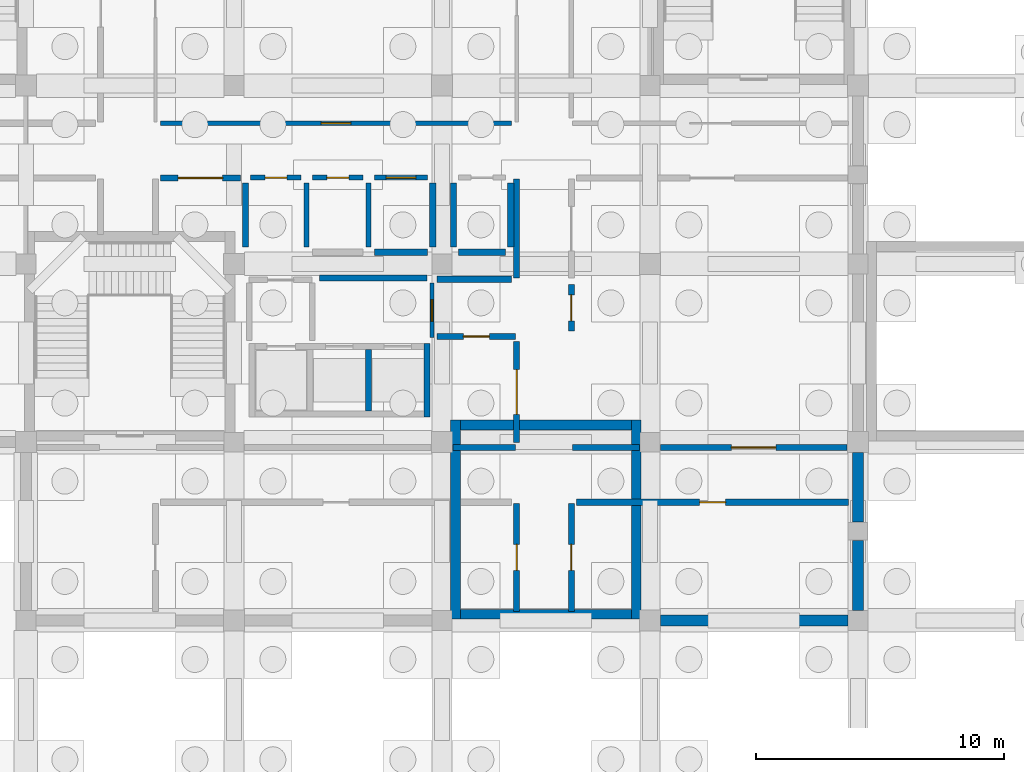
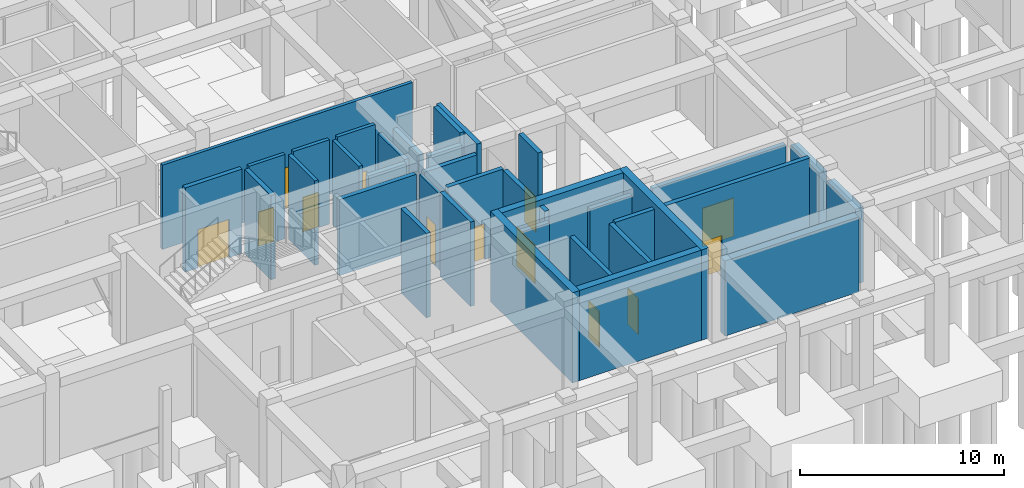
# One storey, part 16 of 32: 35 walls, 13 doors, 13 openings.
"""IFC4 building model written with IfcOpenShell, lengths in metres."""

import ifcopenshell
import ifcopenshell.guid

model = None  # the IFC model being written
_history = None  # IfcOwnerHistory: only IFC2X3 demands one
_inside = {}  # id of a spatial element -> (the spatial element, [elements in it])
_under = {}  # id of a project, library or spatial element -> (it, [spatial elements below it])
_declared = {}  # id of a project -> (the project, [libraries it declares])
_typed = {}  # id of a type object -> (the type object, [elements of that type])
_made_of = {}  # id of a material, layer set ... -> (it, [elements and type objects made of it])


def new_model(schema):
    """Start an empty IFC model of exactly this schema.

    Asked for "IFC4X3", IfcOpenShell would pick the latest addendum, in which some entities
    have other attributes; the version numbers below select the first issue.
    IFC2X3 requires an IfcOwnerHistory on every rooted entity: one is made here for all.
    """
    global model, _history
    if schema == "IFC4X3":
        model = ifcopenshell.file(schema_version=(4, 3, 0, 0))
    else:
        model = ifcopenshell.file(schema=schema)
    _inside.clear()
    _under.clear()
    _declared.clear()
    _typed.clear()
    _made_of.clear()
    _history = None
    if model.schema == "IFC2X3":
        org = make("IfcOrganization", Name="unknown")
        user = make(
            "IfcPersonAndOrganization",
            ThePerson=make("IfcPerson", FamilyName="unknown"),
            TheOrganization=org,
        )
        app = make(
            "IfcApplication",
            ApplicationDeveloper=org,
            Version="unknown",
            ApplicationFullName="unknown",
            ApplicationIdentifier="unknown",
        )
        _history = make(
            "IfcOwnerHistory",
            OwningUser=user,
            OwningApplication=app,
            ChangeAction="ADDED",
            CreationDate=0,
        )
    return model


def make(cls, **values):
    """One entity of the class cls with the attributes given. An attribute that is None is left unset."""
    return model.create_entity(
        cls, **{name: value for name, value in values.items() if value is not None}
    )


def rooted(cls, **values):
    """An entity with a GlobalId (a new one), such as an element, a storey or a relation."""
    return make(cls, GlobalId=ifcopenshell.guid.new(), OwnerHistory=_history, **values)


def si_unit(unit_type, name, prefix=None):
    """IfcSIUnit, for example si_unit("LENGTHUNIT", "METRE", prefix="MILLI")."""
    return make("IfcSIUnit", UnitType=unit_type, Prefix=prefix, Name=name)


def derived_unit(unit_type, elements):
    """IfcDerivedUnit: a product of units, each with its exponent."""
    return make(
        "IfcDerivedUnit",
        Elements=[
            make("IfcDerivedUnitElement", Unit=unit, Exponent=power)
            for unit, power in elements
        ],
        UnitType=unit_type,
    )


def assignment(units):
    """IfcUnitAssignment: the units of a project."""
    return None if units is None else make("IfcUnitAssignment", Units=units)


def point(xyz):
    """IfcCartesianPoint."""
    return None if xyz is None else make("IfcCartesianPoint", Coordinates=xyz)


def direction(xyz):
    """IfcDirection."""
    return None if xyz is None else make("IfcDirection", DirectionRatios=xyz)


def frame(location, z_axis=None, x_axis=None):
    """IfcAxis2Placement3D, a coordinate frame: its origin and axes. An axis left out is left unset."""
    return make(
        "IfcAxis2Placement3D",
        Location=point(location),
        Axis=direction(z_axis),
        RefDirection=direction(x_axis),
    )


def frame_2d(location, x_axis=None):
    """IfcAxis2Placement2D, a coordinate frame in the plane: its origin and x axis."""
    return make(
        "IfcAxis2Placement2D", Location=point(location), RefDirection=direction(x_axis)
    )


def origin():
    """The frame at (0, 0, 0) with its axes left unset."""
    return frame((0.0, 0.0, 0.0))


def place(relative_to, where):
    """IfcLocalPlacement: puts the frame where relative to a parent placement (None: the world)."""
    return make(
        "IfcLocalPlacement", PlacementRelTo=relative_to, RelativePlacement=where
    )


def context(
    kind, dimensions, precision=None, world=None, true_north=None, identifier=None
):
    """IfcGeometricRepresentationContext, for example the 3D "Model" context."""
    return make(
        "IfcGeometricRepresentationContext",
        ContextIdentifier=identifier,
        ContextType=kind,
        CoordinateSpaceDimension=dimensions,
        Precision=precision,
        WorldCoordinateSystem=world,
        TrueNorth=true_north,
    )


def subcontext(parent, identifier, kind, view, scale=None):
    """IfcGeometricRepresentationSubContext, for example "Body" below "Model"."""
    return make(
        "IfcGeometricRepresentationSubContext",
        ContextIdentifier=identifier,
        ContextType=kind,
        ParentContext=parent,
        TargetScale=scale,
        TargetView=view,
    )


def project(units=None, contexts=None):
    """IfcProject with its units and contexts."""
    return rooted(
        "IfcProject",
        Name="project",
        RepresentationContexts=contexts,
        UnitsInContext=assignment(units),
    )


def spatial(cls, under=None, at=None, **own):
    """A site, building, storey or space (cls), placed at a placement, below another one or the project."""
    s = rooted(cls, ObjectPlacement=at, **own)
    if under is not None:
        _under.setdefault(under.id(), (under, []))[1].append(s)
    return s


def profile(cls, at=None, kind="AREA", **sizes):
    """A parametric profile (cls). Its sizes go by their IFC names, for example OverallWidth=200.0."""
    return make(cls, ProfileType=kind, Position=at, **sizes)


def rectangle(**sizes):
    """IfcRectangleProfileDef."""
    return profile("IfcRectangleProfileDef", **sizes)


def extrude(swept, where, along, depth):
    """IfcExtrudedAreaSolid: the profile swept, set in the frame where, extruded along a direction by depth."""
    return make(
        "IfcExtrudedAreaSolid",
        SweptArea=swept,
        Position=where,
        ExtrudedDirection=direction(along),
        Depth=depth,
    )


def shape(context_of_items, identifier, shape_type, items):
    """IfcShapeRepresentation: the items that make up one representation, for example the "Body"."""
    return make(
        "IfcShapeRepresentation",
        ContextOfItems=context_of_items,
        RepresentationIdentifier=identifier,
        RepresentationType=shape_type,
        Items=items,
    )


def material(Name=None, Category=None):
    """IfcMaterial."""
    return make("IfcMaterial", Name=Name, Category=Category)


def layer(
    of_material, thickness, ventilated=None, Name=None, Category=None, Priority=None
):
    """IfcMaterialLayer: one layer of a wall or slab, of a material (None: an air gap)."""
    return make(
        "IfcMaterialLayer",
        Material=of_material,
        LayerThickness=thickness,
        IsVentilated=ventilated,
        Name=Name,
        Category=Category,
        Priority=Priority,
    )


def layer_set(layers, Name=None):
    """IfcMaterialLayerSet."""
    return make("IfcMaterialLayerSet", MaterialLayers=layers, LayerSetName=Name)


def made_of(thing, what):
    """Note that an element or type object is made of a material, layer set ...; save() writes the relation."""
    if what is not None:
        _made_of.setdefault(what.id(), (what, []))[1].append(thing)
    return thing


def type_object(cls, material=None, **own):
    """A type object (cls), such as IfcWallType, which elements share."""
    return made_of(rooted(cls, **own), material)


def element(
    cls,
    number,
    at=None,
    inside=None,
    cuts=None,
    type_object=None,
    material=None,
    context=None,
    identifier="Body",
    shape_type=None,
    held_by="IfcProductDefinitionShape",
    body=None,
    shapes=None,
    **own,
):
    """One element of the class cls, such as IfcWall. Its Tag is "e" and its number.

    at: its placement. inside: the storey or other place that contains it. cuts: it is an
    opening in that element (IfcRelVoidsElement). A single representation is given by context,
    identifier, shape_type and body (its items); several are given by shapes. held_by: the class
    of the entity that holds the representations. save() writes the other relations.
    """
    e = rooted(cls, Tag="e%d" % number, ObjectPlacement=at, **own)
    if body is not None:
        shapes = [shape(context, identifier, shape_type, body)]
    if shapes is not None:
        e.Representation = make(held_by, Representations=shapes)
    if inside is not None:
        _inside.setdefault(inside.id(), (inside, []))[1].append(e)
    if cuts is not None:
        rooted(
            "IfcRelVoidsElement", RelatingBuildingElement=cuts, RelatedOpeningElement=e
        )
    if type_object is not None:
        _typed.setdefault(type_object.id(), (type_object, []))[1].append(e)
    return made_of(e, material)


def fill(opening, filler):
    """IfcRelFillsElement: the door or window that sits in an opening."""
    return rooted(
        "IfcRelFillsElement",
        RelatingOpeningElement=opening,
        RelatedBuildingElement=filler,
    )


def aggregate(whole, parts):
    """IfcRelAggregates: a whole, such as a stair, and the parts it consists of."""
    return rooted("IfcRelAggregates", RelatingObject=whole, RelatedObjects=parts)


def save(model, path):
    """Write the relations noted so far, then the file.

    IfcRelAggregates (storeys below a building ...), IfcRelContainedInSpatialStructure (elements
    in a storey), IfcRelDefinesByType, IfcRelAssociatesMaterial and IfcRelDeclares: one each for
    every whole, place, type object, material and project.
    """
    for whole, parts in _under.values():
        aggregate(whole, parts)
    for where, things in _inside.values():
        rooted(
            "IfcRelContainedInSpatialStructure",
            RelatedElements=things,
            RelatingStructure=where,
        )
    for kind, things in _typed.values():
        rooted("IfcRelDefinesByType", RelatedObjects=things, RelatingType=kind)
    for what, things in _made_of.values():
        rooted("IfcRelAssociatesMaterial", RelatedObjects=things, RelatingMaterial=what)
    for by, libraries in _declared.values():
        rooted("IfcRelDeclares", RelatingContext=by, RelatedDefinitions=libraries)
    model.write(path)


model = new_model("IFC4")

# Units and contexts
model_context = context("Model", 3, precision=1e-05, world=origin(), true_north=direction((0.0, 1.0)))
body_context = subcontext(model_context, "Body", "Model", "MODEL_VIEW")
ifc_project = project(units=[si_unit("LENGTHUNIT", "METRE"), si_unit("AREAUNIT", "SQUARE_METRE"), si_unit("VOLUMEUNIT", "CUBIC_METRE"), si_unit("PLANEANGLEUNIT", "RADIAN"), si_unit("MASSUNIT", "GRAM", prefix="KILO"), derived_unit("THERMALTRANSMITTANCEUNIT", [(si_unit("POWERUNIT", "WATT"), 1), (si_unit("LENGTHUNIT", "METRE"), -2), (si_unit("THERMODYNAMICTEMPERATUREUNIT", "KELVIN"), -1)])], contexts=[model_context])

# Site, building, storey
site_placement = place(None, origin())
site = spatial("IfcSite", under=ifc_project, at=site_placement, CompositionType="ELEMENT")
building_placement = place(site_placement, origin())
building = spatial("IfcBuilding", under=site, at=building_placement, Name="Veybourne Emporium", CompositionType="ELEMENT")
storey_placement = place(building_placement, frame((0.0, 0.0, -5.39990234375)))
storey = spatial("IfcBuildingStorey", under=building, at=storey_placement, Name="B1", CompositionType="ELEMENT", Elevation=-5.39990234375)

# Walls
ifc_material_1 = material(Name="Concrete C40/50", Category="concrete")
ifc_layer_1 = layer(ifc_material_1, 0.449951171875)
ifc_layer_set_1 = layer_set([ifc_layer_1], Name="Concrete C40/50")
wall_type_1 = type_object("IfcWallType", Name="ExtWall_RW-01", PredefinedType="USERDEFINED", material=ifc_layer_set_1)
wall_1_placement = place(storey_placement, frame((50.0, 7.199951171875, 0.0), z_axis=(0.0, 0.0, 1.0), x_axis=(-1.0, 0.0, 0.0)))
element("IfcWall", 1, at=wall_1_placement, inside=storey, type_object=wall_type_1, Name="Basement perimeter retaining wall 025", ObjectType="RETAININGWALL", PredefinedType="USERDEFINED", context=body_context, shape_type="SweptSolid", body=[
    extrude(rectangle(XDim=7.574951171875, YDim=0.449951171875, at=frame_2d((3.78759765625, 0.0))), origin(), (0.0, 0.0, 1.0), 4.5),
])
wall_2_placement = place(storey_placement, frame((50.39990234375, 13.97509765625, 0.0), z_axis=(0.0, 0.0, 1.0), x_axis=(0.0, -1.0, 0.0)))
element("IfcWall", 2, at=wall_2_placement, inside=storey, type_object=wall_type_1, Name="Basement perimeter retaining wall 026A", ObjectType="RETAININGWALL", PredefinedType="USERDEFINED", context=body_context, shape_type="SweptSolid", body=[
    extrude(rectangle(XDim=2.80517578125, YDim=0.449951171875, at=frame_2d((1.402587890625, 0.0))), origin(), (0.0, 0.0, 1.0), 4.5),
])
wall_3_placement = place(storey_placement, frame((50.39990234375, 10.429931640625, 0.0), z_axis=(0.0, 0.0, 1.0), x_axis=(0.0, -1.0, 0.0)))
element("IfcWall", 3, at=wall_3_placement, inside=storey, type_object=wall_type_1, Name="Basement perimeter retaining wall 026B", ObjectType="RETAININGWALL", PredefinedType="USERDEFINED", context=body_context, shape_type="SweptSolid", body=[
    extrude(rectangle(XDim=2.829833984375, YDim=0.449951171875, at=frame_2d((1.4150390625, 0.0))), origin(), (0.0, 0.0, 1.0), 4.5),
])
ifc_layer_2 = layer(ifc_material_1, 0.39990234375)
ifc_layer_set_2 = layer_set([ifc_layer_2], Name="Concrete C40/50")
wall_type_2 = type_object("IfcWallType", Name="IntWall_CW-01", PredefinedType="SHEAR", material=ifc_layer_set_2)
for number, where, z_axis, x_axis, name in (
    (4, (41.25, 7.449951171875, 0.0), (0.0, 0.0, 1.0), (-1.0, 0.0, 0.0), "Core stair ST-12 south shear wall (B1)"),
    (5, (34.35009765625, 15.10009765625, 0.0), (0.0, 0.0, 1.0), (1.0, 0.0, 0.0), "Core stair ST-12 north shear wall (B1)"),
):
    element("IfcWall", number, at=place(storey_placement, frame(where, z_axis=z_axis, x_axis=x_axis)), inside=storey, type_object=wall_type_2, Name=name, PredefinedType="SHEAR", context=body_context, shape_type="SweptSolid", body=[
        extrude(rectangle(XDim=6.89990234375, YDim=0.39990234375, at=frame_2d((3.449951171875, 0.0))), origin(), (0.0, 0.0, 1.0), 5.39990234375),
    ])
for number, where, z_axis, x_axis, name in (
    (6, (34.14990234375, 15.300048828125, 0.0), (0.0, 0.0, 1.0), (0.0, -1.0, 0.0), "Core stair ST-12 west shear wall (B1)"),
    (7, (41.449951171875, 7.25, 0.0), (0.0, 0.0, 1.0), (0.0, 1.0, 0.0), "Core stair ST-12 east shear wall (B1)"),
):
    element("IfcWall", number, at=place(storey_placement, frame(where, z_axis=z_axis, x_axis=x_axis)), inside=storey, type_object=wall_type_2, Name=name, PredefinedType="SHEAR", context=body_context, shape_type="SweptSolid", body=[
        extrude(rectangle(XDim=8.050048828125, YDim=0.39990234375, at=frame_2d((4.02490234375, 0.0))), origin(), (0.0, 0.0, 1.0), 5.39990234375),
    ])
ifc_layer_3 = layer(ifc_material_1, 0.239990234375)
ifc_layer_set_3 = layer_set([ifc_layer_3], Name="Concrete C40/50")
wall_type_3 = type_object("IfcWallType", Name="IntWall_CW-04", PredefinedType="SHEAR", material=ifc_layer_set_3)
wall_4_placement = place(storey_placement, frame((33.0, 15.409912109375, 0.0), z_axis=(0.0, 0.0, 1.0), x_axis=(0.0, 1.0, 0.0)))
element("IfcWall", 8, at=wall_4_placement, inside=storey, type_object=wall_type_3, Name="Lift core C1 east shaft wall (B1)", PredefinedType="SHEAR", context=body_context, shape_type="SweptSolid", body=[
    extrude(rectangle(XDim=2.97998046875, YDim=0.239990234375, at=frame_2d((1.489990234375, 0.0))), origin(), (0.0, 0.0, 1.0), 5.0498046875),
])
wall_5_placement = place(storey_placement, frame((30.639892578125, 15.64990234375, 0.0), z_axis=(0.0, 0.0, 1.0), x_axis=(0.0, 1.0, 0.0)))
element("IfcWall", 9, at=wall_5_placement, inside=storey, type_object=wall_type_3, Name="Lift core C1 divider wall 2 (B1)", PredefinedType="SHEAR", context=body_context, shape_type="SweptSolid", body=[
    extrude(rectangle(XDim=2.5, YDim=0.239990234375, at=frame_2d((1.25, 0.0))), origin(), (0.0, 0.0, 1.0), 5.0498046875),
])
ifc_material_2 = material(Name="Concrete C32/40", Category="concrete")
ifc_layer_4 = layer(ifc_material_2, 0.25)
ifc_layer_set_4 = layer_set([ifc_layer_4], Name="Concrete C32/40")
wall_type_4 = type_object("IfcWallType", Name="IntWall_FW-01", PredefinedType="SOLIDWALL", material=ifc_layer_set_4)
wall_6_placement = place(storey_placement, frame((34.044921875, 14.179931640625, 0.0), z_axis=(0.0, 0.0, 1.0), x_axis=(1.0, 0.0, 0.0)))
element("IfcWall", 10, at=wall_6_placement, inside=storey, type_object=wall_type_4, Name="B1 interior partition FW-01 #020", PredefinedType="SOLIDWALL", context=body_context, shape_type="SweptSolid", body=[
    extrude(rectangle(XDim=2.525146484375, YDim=0.25, at=frame_2d((1.2626953125, 0.0))), origin(), (0.0, 0.0, 1.0), 4.5498046875),
])
wall_7_placement = place(storey_placement, frame((38.8798828125, 14.179931640625, 0.0), z_axis=(0.0, 0.0, 1.0), x_axis=(1.0, 0.0, 0.0)))
element("IfcWall", 11, at=wall_7_placement, inside=storey, type_object=wall_type_4, Name="B1 interior partition FW-01 #040", PredefinedType="SOLIDWALL", context=body_context, shape_type="SweptSolid", body=[
    extrude(rectangle(XDim=2.7001953125, YDim=0.25, at=frame_2d((1.35009765625, 0.0))), origin(), (0.0, 0.0, 1.0), 4.5498046875),
])

# Wall, opening, door
wall_8_placement = place(storey_placement, frame((42.419921875, 14.179931640625, 0.0), z_axis=(0.0, 0.0, 1.0), x_axis=(1.0, 0.0, 0.0)))
wall_8 = element("IfcWall", 12, at=wall_8_placement, inside=storey, type_object=wall_type_4, Name="B1 interior partition FW-01 #041", PredefinedType="SOLIDWALL", context=body_context, shape_type="SweptSolid", body=[
    extrude(rectangle(XDim=7.53515625, YDim=0.25, at=frame_2d((3.767578125, 0.0))), origin(), (0.0, 0.0, 1.0), 4.5498046875),
])
opening_1_placement = place(wall_8_placement, frame((2.867431640625, 0.0, 0.0)))
opening_1 = element("IfcOpeningElement", 13, at=opening_1_placement, cuts=wall_8, Name="Opening FD-03", PredefinedType="OPENING", context=body_context, shape_type="SweptSolid", body=[
    extrude(rectangle(XDim=1.800048828125, YDim=2.300048828125, at=frame_2d((0.89990234375, 1.14990234375))), frame((0.0, 0.14501953125, 0.0), z_axis=(0.0, -1.0, 0.0), x_axis=(1.0, 0.0, 0.0)), (0.0, 0.0, 1.0), 0.2900390625),
])
ifc_material_3 = material(Name="Patinated Architectural Bronze", Category="bronze")
door_type_1 = type_object("IfcDoorType", Name="FireDoor_FD-03", OperationType="DOUBLE_DOOR_SINGLE_SWING", PredefinedType="DOOR", material=ifc_material_3)
door_1_placement = place(opening_1_placement, origin())
door_1 = element("IfcDoor", 14, at=door_1_placement, inside=storey, type_object=door_type_1, Name="B1 interior door FD-03 (PART-B1-041)", OperationType="DOUBLE_DOOR_SINGLE_SWING", OverallHeight=2.300048828125, OverallWidth=1.800048828125, PredefinedType="DOOR", context=body_context, shape_type="SweptSolid", body=[
    extrude(rectangle(XDim=1.800048828125, YDim=2.300048828125, at=frame_2d((0.89990234375, 1.14990234375))), frame((0.0, 0.02490234375, 0.0), z_axis=(0.0, -1.0, 0.0), x_axis=(1.0, 0.0, 0.0)), (0.0, 0.0, 1.0), 0.050048828125),
])
fill(opening_1, door_1)

wall_9_placement = place(storey_placement, frame((39.0400390625, 11.969970703125, 0.0), z_axis=(0.0, 0.0, 1.0), x_axis=(1.0, 0.0, 0.0)))
wall_9 = element("IfcWall", 15, at=wall_9_placement, inside=storey, type_object=wall_type_4, Name="B1 interior partition FW-01 #043", PredefinedType="SOLIDWALL", context=body_context, shape_type="SweptSolid", body=[
    extrude(rectangle(XDim=10.989990234375, YDim=0.25, at=frame_2d((5.4951171875, 0.0))), origin(), (0.0, 0.0, 1.0), 5.0498046875),
])
opening_2_placement = place(wall_9_placement, frame((4.969970703125, 0.0, 0.0)))
opening_2 = element("IfcOpeningElement", 16, at=opening_2_placement, cuts=wall_9, Name="Opening FD-02", PredefinedType="OPENING", context=body_context, shape_type="SweptSolid", body=[
    extrude(rectangle(XDim=1.050048828125, YDim=2.14990234375, at=frame_2d((0.52490234375, 1.074951171875))), frame((0.0, 0.14501953125, 0.0), z_axis=(0.0, -1.0, 0.0), x_axis=(1.0, 0.0, 0.0)), (0.0, 0.0, 1.0), 0.2900390625),
])
door_type_2 = type_object("IfcDoorType", Name="FireDoor_FD-02", OperationType="NOTDEFINED", PredefinedType="DOOR", material=ifc_material_3)
door_2_placement = place(opening_2_placement, origin())
door_2 = element("IfcDoor", 17, at=door_2_placement, inside=storey, type_object=door_type_2, Name="B1 interior door FD-02 (PART-B1-043)", OperationType="SINGLE_SWING_LEFT", OverallHeight=2.14990234375, OverallWidth=1.050048828125, PredefinedType="DOOR", context=body_context, shape_type="SweptSolid", body=[
    extrude(rectangle(XDim=1.050048828125, YDim=2.14990234375, at=frame_2d((0.52490234375, 1.074951171875))), frame((0.0, 0.02490234375, 0.0), z_axis=(0.0, -1.0, 0.0), x_axis=(1.0, 0.0, 0.0)), (0.0, 0.0, 1.0), 0.050048828125),
])
fill(opening_2, door_2)

wall_10_placement = place(storey_placement, frame((36.6201171875, 7.570068359375, 0.0), z_axis=(0.0, 0.0, 1.0), x_axis=(0.0, 1.0, 0.0)))
wall_10 = element("IfcWall", 18, at=wall_10_placement, inside=storey, type_object=wall_type_4, Name="B1 interior partition FW-01 #075", PredefinedType="SOLIDWALL", context=body_context, shape_type="SweptSolid", body=[
    extrude(rectangle(XDim=4.349853515625, YDim=0.25, at=frame_2d((2.1748046875, 0.0))), origin(), (0.0, 0.0, 1.0), 5.0498046875),
])
opening_3_placement = place(wall_10_placement, frame((1.64990234375, 0.0, 0.0)))
opening_3 = element("IfcOpeningElement", 19, at=opening_3_placement, cuts=wall_10, Name="Opening FD-02", PredefinedType="OPENING", context=body_context, shape_type="SweptSolid", body=[
    extrude(rectangle(XDim=1.050048828125, YDim=2.14990234375, at=frame_2d((0.52490234375, 1.074951171875))), frame((0.0, 0.14501953125, 0.0), z_axis=(0.0, -1.0, 0.0), x_axis=(1.0, 0.0, 0.0)), (0.0, 0.0, 1.0), 0.2900390625),
])
door_3_placement = place(opening_3_placement, origin())
door_3 = element("IfcDoor", 20, at=door_3_placement, inside=storey, type_object=door_type_2, Name="B1 interior door FD-02 (PART-B1-075)", OperationType="SINGLE_SWING_RIGHT", OverallHeight=2.14990234375, OverallWidth=1.050048828125, PredefinedType="DOOR", context=body_context, shape_type="SweptSolid", body=[
    extrude(rectangle(XDim=1.050048828125, YDim=2.14990234375, at=frame_2d((0.52490234375, 1.074951171875))), frame((0.0, 0.02490234375, 0.0), z_axis=(0.0, -1.0, 0.0), x_axis=(1.0, 0.0, 0.0)), (0.0, 0.0, 1.0), 0.050048828125),
])
fill(opening_3, door_3)

wall_11_placement = place(storey_placement, frame((38.830078125, 7.570068359375, 0.0), z_axis=(0.0, 0.0, 1.0), x_axis=(0.0, 1.0, 0.0)))
wall_11 = element("IfcWall", 21, at=wall_11_placement, inside=storey, type_object=wall_type_4, Name="B1 interior partition FW-01 #076", PredefinedType="SOLIDWALL", context=body_context, shape_type="SweptSolid", body=[
    extrude(rectangle(XDim=4.349853515625, YDim=0.25, at=frame_2d((2.1748046875, 0.0))), origin(), (0.0, 0.0, 1.0), 5.0498046875),
])
opening_4_placement = place(wall_11_placement, frame((1.64990234375, 0.0, 0.0)))
opening_4 = element("IfcOpeningElement", 22, at=opening_4_placement, cuts=wall_11, Name="Opening FD-02", PredefinedType="OPENING", context=body_context, shape_type="SweptSolid", body=[
    extrude(rectangle(XDim=1.050048828125, YDim=2.14990234375, at=frame_2d((0.52490234375, 1.074951171875))), frame((0.0, 0.14501953125, 0.0), z_axis=(0.0, -1.0, 0.0), x_axis=(1.0, 0.0, 0.0)), (0.0, 0.0, 1.0), 0.2900390625),
])
door_4_placement = place(opening_4_placement, origin())
door_4 = element("IfcDoor", 23, at=door_4_placement, inside=storey, type_object=door_type_2, Name="B1 interior door FD-02 (PART-B1-076)", OperationType="SINGLE_SWING_LEFT", OverallHeight=2.14990234375, OverallWidth=1.050048828125, PredefinedType="DOOR", context=body_context, shape_type="SweptSolid", body=[
    extrude(rectangle(XDim=1.050048828125, YDim=2.14990234375, at=frame_2d((0.52490234375, 1.074951171875))), frame((0.0, 0.02490234375, 0.0), z_axis=(0.0, -1.0, 0.0), x_axis=(1.0, 0.0, 0.0)), (0.0, 0.0, 1.0), 0.050048828125),
])
fill(opening_4, door_4)

# Wall
wall_12_placement = place(storey_placement, frame((28.64990234375, 21.030029296875, 0.0), z_axis=(0.0, 0.0, 1.0), x_axis=(1.0, 0.0, 0.0)))
element("IfcWall", 24, at=wall_12_placement, inside=storey, type_object=wall_type_4, Name="B1 interior partition FW-01 #077", PredefinedType="SOLIDWALL", context=body_context, shape_type="SweptSolid", body=[
    extrude(rectangle(XDim=4.340087890625, YDim=0.25, at=frame_2d((2.169921875, 0.0))), origin(), (0.0, 0.0, 1.0), 4.5498046875),
])

# Wall, opening, door
wall_13_placement = place(storey_placement, frame((36.6201171875, 14.389892578125, 0.0), z_axis=(0.0, 0.0, 1.0), x_axis=(0.0, 1.0, 0.0)))
wall_13 = element("IfcWall", 25, at=wall_13_placement, inside=storey, type_object=wall_type_4, Name="B1 interior partition FW-01 #080", PredefinedType="SOLIDWALL", context=body_context, shape_type="SweptSolid", body=[
    extrude(rectangle(XDim=4.070068359375, YDim=0.25, at=frame_2d((2.03515625, 0.0))), origin(), (0.0, 0.0, 1.0), 5.0498046875),
])
opening_5_placement = place(wall_13_placement, frame((1.135009765625, 0.0, 0.0)))
opening_5 = element("IfcOpeningElement", 26, at=opening_5_placement, cuts=wall_13, Name="Opening FD-03", PredefinedType="OPENING", context=body_context, shape_type="SweptSolid", body=[
    extrude(rectangle(XDim=1.800048828125, YDim=2.300048828125, at=frame_2d((0.89990234375, 1.14990234375))), frame((0.0, 0.14501953125, 0.0), z_axis=(0.0, -1.0, 0.0), x_axis=(1.0, 0.0, 0.0)), (0.0, 0.0, 1.0), 0.2900390625),
])
door_5_placement = place(opening_5_placement, origin())
door_5 = element("IfcDoor", 27, at=door_5_placement, inside=storey, type_object=door_type_1, Name="B1 interior door FD-03 (PART-B1-080)", OperationType="DOUBLE_DOOR_SINGLE_SWING", OverallHeight=2.300048828125, OverallWidth=1.800048828125, PredefinedType="DOOR", context=body_context, shape_type="SweptSolid", body=[
    extrude(rectangle(XDim=1.800048828125, YDim=2.300048828125, at=frame_2d((0.89990234375, 1.14990234375))), frame((0.0, 0.02490234375, 0.0), z_axis=(0.0, -1.0, 0.0), x_axis=(1.0, 0.0, 0.0)), (0.0, 0.0, 1.0), 0.050048828125),
])
fill(opening_5, door_5)

# Wall
wall_14_placement = place(storey_placement, frame((36.6201171875, 21.030029296875, 0.0), z_axis=(0.0, 0.0, 1.0), x_axis=(0.0, 1.0, 0.0)))
element("IfcWall", 28, at=wall_14_placement, inside=storey, type_object=wall_type_4, Name="B1 interior partition FW-01 #081", PredefinedType="SOLIDWALL", context=body_context, shape_type="SweptSolid", body=[
    extrude(rectangle(XDim=3.989990234375, YDim=0.25, at=frame_2d((1.9951171875, 0.0))), origin(), (0.0, 0.0, 1.0), 5.0498046875),
])

# Wall, opening, door
wall_15_placement = place(storey_placement, frame((22.239990234375, 25.070068359375, 0.0), z_axis=(0.0, 0.0, 1.0), x_axis=(1.0, 0.0, 0.0)))
wall_15 = element("IfcWall", 29, at=wall_15_placement, inside=storey, type_object=wall_type_4, Name="B1 interior partition FW-01 #088", PredefinedType="SOLIDWALL", context=body_context, shape_type="SweptSolid", body=[
    extrude(rectangle(XDim=3.219970703125, YDim=0.25, at=frame_2d((1.60986328125, 0.0))), origin(), (0.0, 0.0, 1.0), 5.0498046875),
])
opening_6_placement = place(wall_15_placement, frame((0.7099609375, 0.0, 0.0)))
opening_6 = element("IfcOpeningElement", 30, at=opening_6_placement, cuts=wall_15, Name="Opening FD-03", PredefinedType="OPENING", context=body_context, shape_type="SweptSolid", body=[
    extrude(rectangle(XDim=1.800048828125, YDim=2.300048828125, at=frame_2d((0.89990234375, 1.14990234375))), frame((0.0, 0.14501953125, 0.0), z_axis=(0.0, -1.0, 0.0), x_axis=(1.0, 0.0, 0.0)), (0.0, 0.0, 1.0), 0.2900390625),
])
door_6_placement = place(opening_6_placement, origin())
door_6 = element("IfcDoor", 31, at=door_6_placement, inside=storey, type_object=door_type_1, Name="B1 interior door FD-03 (PART-B1-088)", OperationType="DOUBLE_DOOR_SINGLE_SWING", OverallHeight=2.300048828125, OverallWidth=1.800048828125, PredefinedType="DOOR", context=body_context, shape_type="SweptSolid", body=[
    extrude(rectangle(XDim=1.800048828125, YDim=2.300048828125, at=frame_2d((0.89990234375, 1.14990234375))), frame((0.0, 0.02490234375, 0.0), z_axis=(0.0, -1.0, 0.0), x_axis=(1.0, 0.0, 0.0)), (0.0, 0.0, 1.0), 0.050048828125),
])
fill(opening_6, door_6)

wall_16_placement = place(storey_placement, frame((33.409912109375, 18.669921875, 0.0), z_axis=(0.0, 0.0, 1.0), x_axis=(1.0, 0.0, 0.0)))
wall_16 = element("IfcWall", 32, at=wall_16_placement, inside=storey, type_object=wall_type_4, Name="B1 interior partition FW-01 #089", PredefinedType="SOLIDWALL", context=body_context, shape_type="SweptSolid", body=[
    extrude(rectangle(XDim=3.16015625, YDim=0.25, at=frame_2d((1.580078125, 0.0))), origin(), (0.0, 0.0, 1.0), 5.0498046875),
])
opening_7_placement = place(wall_16_placement, frame((1.054931640625, 0.0, 0.0)))
opening_7 = element("IfcOpeningElement", 33, at=opening_7_placement, cuts=wall_16, Name="Opening FD-02", PredefinedType="OPENING", context=body_context, shape_type="SweptSolid", body=[
    extrude(rectangle(XDim=1.050048828125, YDim=2.14990234375, at=frame_2d((0.52490234375, 1.074951171875))), frame((0.0, 0.14501953125, 0.0), z_axis=(0.0, -1.0, 0.0), x_axis=(1.0, 0.0, 0.0)), (0.0, 0.0, 1.0), 0.2900390625),
])
door_7_placement = place(opening_7_placement, origin())
door_7 = element("IfcDoor", 34, at=door_7_placement, inside=storey, type_object=door_type_2, Name="B1 interior door FD-02 (PART-B1-089)", OperationType="SINGLE_SWING_RIGHT", OverallHeight=2.14990234375, OverallWidth=1.050048828125, PredefinedType="DOOR", context=body_context, shape_type="SweptSolid", body=[
    extrude(rectangle(XDim=1.050048828125, YDim=2.14990234375, at=frame_2d((0.52490234375, 1.074951171875))), frame((0.0, 0.02490234375, 0.0), z_axis=(0.0, -1.0, 0.0), x_axis=(1.0, 0.0, 0.0)), (0.0, 0.0, 1.0), 0.050048828125),
])
fill(opening_7, door_7)

# Wall
wall_17_placement = place(storey_placement, frame((33.409912109375, 20.97998046875, 0.0), z_axis=(0.0, 0.0, 1.0), x_axis=(1.0, 0.0, 0.0)))
element("IfcWall", 35, at=wall_17_placement, inside=storey, type_object=wall_type_4, Name="B1 interior partition FW-01 #090", PredefinedType="SOLIDWALL", context=body_context, shape_type="SweptSolid", body=[
    extrude(rectangle(XDim=3.0, YDim=0.25, at=frame_2d((1.5, 0.0))), origin(), (0.0, 0.0, 1.0), 4.5498046875),
])

# Wall, opening, door
wall_18_placement = place(storey_placement, frame((38.830078125, 18.8798828125, 0.0), z_axis=(0.0, 0.0, 1.0), x_axis=(0.0, 1.0, 0.0)))
wall_18 = element("IfcWall", 36, at=wall_18_placement, inside=storey, type_object=wall_type_4, Name="B1 interior partition FW-01 #116", PredefinedType="SOLIDWALL", context=body_context, shape_type="SweptSolid", body=[
    extrude(rectangle(XDim=1.89013671875, YDim=0.25, at=frame_2d((0.945068359375, 0.0))), origin(), (0.0, 0.0, 1.0), 5.0498046875),
])
opening_8_placement = place(wall_18_placement, frame((0.419921875, 0.0, 0.0)))
opening_8 = element("IfcOpeningElement", 37, at=opening_8_placement, cuts=wall_18, Name="Opening FD-02", PredefinedType="OPENING", context=body_context, shape_type="SweptSolid", body=[
    extrude(rectangle(XDim=1.050048828125, YDim=2.14990234375, at=frame_2d((0.52490234375, 1.074951171875))), frame((0.0, 0.14501953125, 0.0), z_axis=(0.0, -1.0, 0.0), x_axis=(1.0, 0.0, 0.0)), (0.0, 0.0, 1.0), 0.2900390625),
])
door_8_placement = place(opening_8_placement, origin())
door_8 = element("IfcDoor", 38, at=door_8_placement, inside=storey, type_object=door_type_2, Name="B1 interior door FD-02 (PART-B1-116)", OperationType="SINGLE_SWING_RIGHT", OverallHeight=2.14990234375, OverallWidth=1.050048828125, PredefinedType="DOOR", context=body_context, shape_type="SweptSolid", body=[
    extrude(rectangle(XDim=1.050048828125, YDim=2.14990234375, at=frame_2d((0.52490234375, 1.074951171875))), frame((0.0, 0.02490234375, 0.0), z_axis=(0.0, -1.0, 0.0), x_axis=(1.0, 0.0, 0.0)), (0.0, 0.0, 1.0), 0.050048828125),
])
fill(opening_8, door_8)

# Walls
wall_19_placement = place(storey_placement, frame((25.669921875, 22.280029296875, 0.0), z_axis=(0.0, 0.0, 1.0), x_axis=(0.0, 1.0, 0.0)))
element("IfcWall", 39, at=wall_19_placement, inside=storey, type_object=wall_type_4, Name="B1 interior partition FW-01 #180", PredefinedType="SOLIDWALL", context=body_context, shape_type="SweptSolid", body=[
    extrude(rectangle(XDim=2.590087890625, YDim=0.25, at=frame_2d((1.294921875, 0.0))), origin(), (0.0, 0.0, 1.0), 5.0498046875),
])
wall_20_placement = place(storey_placement, frame((33.22998046875, 22.280029296875, 0.0), z_axis=(0.0, 0.0, 1.0), x_axis=(0.0, 1.0, 0.0)))
element("IfcWall", 40, at=wall_20_placement, inside=storey, type_object=wall_type_4, Name="B1 interior partition FW-01 #182", PredefinedType="SOLIDWALL", context=body_context, shape_type="SweptSolid", body=[
    extrude(rectangle(XDim=2.590087890625, YDim=0.25, at=frame_2d((1.294921875, 0.0))), origin(), (0.0, 0.0, 1.0), 4.5498046875),
])
wall_21_placement = place(storey_placement, frame((36.3798828125, 22.280029296875, 0.0), z_axis=(0.0, 0.0, 1.0), x_axis=(0.0, 1.0, 0.0)))
element("IfcWall", 41, at=wall_21_placement, inside=storey, type_object=wall_type_4, Name="B1 interior partition FW-01 #183", PredefinedType="SOLIDWALL", context=body_context, shape_type="SweptSolid", body=[
    extrude(rectangle(XDim=2.590087890625, YDim=0.25, at=frame_2d((1.294921875, 0.0))), origin(), (0.0, 0.0, 1.0), 5.0498046875),
])
wall_22_placement = place(storey_placement, frame((34.070068359375, 22.280029296875, 0.0), z_axis=(0.0, 0.0, 1.0), x_axis=(0.0, 1.0, 0.0)))
element("IfcWall", 42, at=wall_22_placement, inside=storey, type_object=wall_type_4, Name="B1 interior partition FW-01 #184", PredefinedType="SOLIDWALL", context=body_context, shape_type="SweptSolid", body=[
    extrude(rectangle(XDim=2.590087890625, YDim=0.25, at=frame_2d((1.294921875, 0.0))), origin(), (0.0, 0.0, 1.0), 4.5498046875),
])
wall_23_placement = place(storey_placement, frame((30.8798828125, 22.070068359375, 0.0), z_axis=(0.0, 0.0, 1.0), x_axis=(1.0, 0.0, 0.0)))
element("IfcWall", 43, at=wall_23_placement, inside=storey, type_object=wall_type_4, Name="B1 interior partition FW-01 #189", PredefinedType="SOLIDWALL", context=body_context, shape_type="SweptSolid", body=[
    extrude(rectangle(XDim=2.14013671875, YDim=0.25, at=frame_2d((1.070068359375, 0.0))), origin(), (0.0, 0.0, 1.0), 4.5498046875),
])
wall_24_placement = place(storey_placement, frame((34.280029296875, 22.070068359375, 0.0), z_axis=(0.0, 0.0, 1.0), x_axis=(1.0, 0.0, 0.0)))
element("IfcWall", 44, at=wall_24_placement, inside=storey, type_object=wall_type_4, Name="B1 interior partition FW-01 #193", PredefinedType="SOLIDWALL", context=body_context, shape_type="SweptSolid", body=[
    extrude(rectangle(XDim=1.889892578125, YDim=0.25, at=frame_2d((0.94482421875, 0.0))), origin(), (0.0, 0.0, 1.0), 4.5498046875),
])

# Wall, opening, door
ifc_material_4 = material(Name="Gypsum Acoustic Board", Category="gypsum")
ifc_layer_5 = layer(ifc_material_4, 0.179931640625)
ifc_layer_set_5 = layer_set([ifc_layer_5], Name="Gypsum Acoustic Board")
wall_type_5 = type_object("IfcWallType", Name="IntWall_IW-01", PredefinedType="PARTITIONING", material=ifc_layer_set_5)
wall_25_placement = place(storey_placement, frame((22.239990234375, 27.280029296875, 0.0), z_axis=(0.0, 0.0, 1.0), x_axis=(1.0, 0.0, 0.0)))
wall_25 = element("IfcWall", 45, at=wall_25_placement, inside=storey, type_object=wall_type_5, Name="B1 interior partition IW-01 #033", PredefinedType="PARTITIONING", context=body_context, shape_type="SweptSolid", body=[
    extrude(rectangle(XDim=14.169921875, YDim=0.179931640625, at=frame_2d((7.0849609375, 0.0))), origin(), (0.0, 0.0, 1.0), 5.0498046875),
])
opening_9_placement = place(wall_25_placement, frame((6.485107421875, 0.0, 0.0)))
opening_9 = element("IfcOpeningElement", 46, at=opening_9_placement, cuts=wall_25, Name="Opening D-33", PredefinedType="OPENING", context=body_context, shape_type="SweptSolid", body=[
    extrude(rectangle(XDim=1.199951171875, YDim=2.449951171875, at=frame_2d((0.60009765625, 1.22509765625))), frame((0.0, 0.10986328125, 0.0), z_axis=(0.0, -1.0, 0.0), x_axis=(1.0, 0.0, 0.0)), (0.0, 0.0, 1.0), 0.219970703125),
])
ifc_material_5 = material(Name="European Oak Veneer and Bronze", Category="wood")
door_type_3 = type_object("IfcDoorType", Name="IntDoor_D-33", OperationType="NOTDEFINED", PredefinedType="DOOR", material=ifc_material_5)
door_9_placement = place(opening_9_placement, origin())
door_9 = element("IfcDoor", 47, at=door_9_placement, inside=storey, type_object=door_type_3, Name="B1 interior door D-33 (PART-B1-033)", OperationType="SINGLE_SWING_LEFT", OverallHeight=2.449951171875, OverallWidth=1.199951171875, PredefinedType="DOOR", context=body_context, shape_type="SweptSolid", body=[
    extrude(rectangle(XDim=1.199951171875, YDim=2.449951171875, at=frame_2d((0.60009765625, 1.22509765625))), frame((0.0, 0.02490234375, 0.0), z_axis=(0.0, -1.0, 0.0), x_axis=(1.0, 0.0, 0.0)), (0.0, 0.0, 1.0), 0.050048828125),
])
fill(opening_9, door_9)

ifc_layer_6 = layer(ifc_material_4, 0.14990234375)
ifc_layer_set_6 = layer_set([ifc_layer_6], Name="Gypsum Acoustic Board")
wall_type_6 = type_object("IfcWallType", Name="IntWall_IW-02", PredefinedType="PARTITIONING", material=ifc_layer_set_6)
wall_26_placement = place(storey_placement, frame((33.199951171875, 18.6201171875, 0.0), z_axis=(0.0, 0.0, 1.0), x_axis=(0.0, 1.0, 0.0)))
wall_26 = element("IfcWall", 48, at=wall_26_placement, inside=storey, type_object=wall_type_6, Name="B1 interior partition IW-02 #103", PredefinedType="PARTITIONING", context=body_context, shape_type="SweptSolid", body=[
    extrude(rectangle(XDim=2.199951171875, YDim=0.14990234375, at=frame_2d((1.10009765625, 0.0))), origin(), (0.0, 0.0, 1.0), 4.5498046875),
])
opening_10_placement = place(wall_26_placement, frame((0.659912109375, 0.0, 0.0)))
opening_10 = element("IfcOpeningElement", 49, at=opening_10_placement, cuts=wall_26, Name="Opening D-31", PredefinedType="OPENING", context=body_context, shape_type="SweptSolid", body=[
    extrude(rectangle(XDim=0.8798828125, YDim=2.449951171875, at=frame_2d((0.43994140625, 1.22509765625))), frame((0.0, 0.094970703125, 0.0), z_axis=(0.0, -1.0, 0.0), x_axis=(1.0, 0.0, 0.0)), (0.0, 0.0, 1.0), 0.18994140625),
])
door_type_4 = type_object("IfcDoorType", Name="IntDoor_D-31", OperationType="NOTDEFINED", PredefinedType="DOOR", material=ifc_material_5)
door_10_placement = place(opening_10_placement, origin())
door_10 = element("IfcDoor", 50, at=door_10_placement, inside=storey, type_object=door_type_4, Name="B1 interior door D-31 (PART-B1-103)", OperationType="SINGLE_SWING_RIGHT", OverallHeight=2.449951171875, OverallWidth=0.8798828125, PredefinedType="DOOR", context=body_context, shape_type="SweptSolid", body=[
    extrude(rectangle(XDim=0.8798828125, YDim=2.449951171875, at=frame_2d((0.43994140625, 1.22509765625))), frame((0.0, 0.02490234375, 0.0), z_axis=(0.0, -1.0, 0.0), x_axis=(1.0, 0.0, 0.0)), (0.0, 0.0, 1.0), 0.050048828125),
])
fill(opening_10, door_10)

ifc_layer_7 = layer(ifc_material_4, 0.199951171875)
ifc_layer_set_7 = layer_set([ifc_layer_7], Name="Gypsum Acoustic Board")
wall_type_7 = type_object("IfcWallType", Name="IntWall_IW-04", PredefinedType="PLUMBINGWALL", material=ifc_layer_set_7)
wall_27_placement = place(storey_placement, frame((30.8798828125, 25.080078125, 0.0), z_axis=(0.0, 0.0, 1.0), x_axis=(1.0, 0.0, 0.0)))
wall_27 = element("IfcWall", 51, at=wall_27_placement, inside=storey, type_object=wall_type_7, Name="B1 interior partition IW-04 #105", PredefinedType="PLUMBINGWALL", context=body_context, shape_type="SweptSolid", body=[
    extrude(rectangle(XDim=2.14013671875, YDim=0.199951171875, at=frame_2d((1.070068359375, 0.0))), origin(), (0.0, 0.0, 1.0), 5.0498046875),
])
opening_11_placement = place(wall_27_placement, frame((0.469970703125, 0.0, 0.0)))
opening_11 = element("IfcOpeningElement", 52, at=opening_11_placement, cuts=wall_27, Name="Opening D-33", PredefinedType="OPENING", context=body_context, shape_type="SweptSolid", body=[
    extrude(rectangle(XDim=1.199951171875, YDim=2.449951171875, at=frame_2d((0.60009765625, 1.22509765625))), frame((0.0, 0.1201171875, 0.0), z_axis=(0.0, -1.0, 0.0), x_axis=(1.0, 0.0, 0.0)), (0.0, 0.0, 1.0), 0.239990234375),
])
door_11_placement = place(opening_11_placement, origin())
door_11 = element("IfcDoor", 53, at=door_11_placement, inside=storey, type_object=door_type_3, Name="B1 interior door D-33 (PART-B1-105)", OperationType="SINGLE_SWING_LEFT", OverallHeight=2.449951171875, OverallWidth=1.199951171875, PredefinedType="DOOR", context=body_context, shape_type="SweptSolid", body=[
    extrude(rectangle(XDim=1.199951171875, YDim=2.449951171875, at=frame_2d((0.60009765625, 1.22509765625))), frame((0.0, 0.02490234375, 0.0), z_axis=(0.0, -1.0, 0.0), x_axis=(1.0, 0.0, 0.0)), (0.0, 0.0, 1.0), 0.050048828125),
])
fill(opening_11, door_11)

wall_28_placement = place(storey_placement, frame((25.8798828125, 25.080078125, 0.0), z_axis=(0.0, 0.0, 1.0), x_axis=(1.0, 0.0, 0.0)))
wall_28 = element("IfcWall", 54, at=wall_28_placement, inside=storey, type_object=wall_type_7, Name="B1 interior partition IW-04 #108", PredefinedType="PLUMBINGWALL", context=body_context, shape_type="SweptSolid", body=[
    extrude(rectangle(XDim=2.0400390625, YDim=0.199951171875, at=frame_2d((1.02001953125, 0.0))), origin(), (0.0, 0.0, 1.0), 5.0498046875),
])
opening_12_placement = place(wall_28_placement, frame((0.580078125, 0.0, 0.0)))
opening_12 = element("IfcOpeningElement", 55, at=opening_12_placement, cuts=wall_28, Name="Opening D-01", PredefinedType="OPENING", context=body_context, shape_type="SweptSolid", body=[
    extrude(rectangle(XDim=0.8798828125, YDim=2.050048828125, at=frame_2d((0.43994140625, 1.02490234375))), frame((0.0, 0.1201171875, 0.0), z_axis=(0.0, -1.0, 0.0), x_axis=(1.0, 0.0, 0.0)), (0.0, 0.0, 1.0), 0.239990234375),
])
door_type_5 = type_object("IfcDoorType", Name="IntDoor_D-01", OperationType="NOTDEFINED", PredefinedType="DOOR", material=ifc_material_5)
door_12_placement = place(opening_12_placement, origin())
door_12 = element("IfcDoor", 56, at=door_12_placement, inside=storey, type_object=door_type_5, Name="B1 interior door D-01 (PART-B1-108)", OperationType="SINGLE_SWING_LEFT", OverallHeight=2.050048828125, OverallWidth=0.8798828125, PredefinedType="DOOR", context=body_context, shape_type="SweptSolid", body=[
    extrude(rectangle(XDim=0.8798828125, YDim=2.050048828125, at=frame_2d((0.43994140625, 1.02490234375))), frame((0.0, 0.02490234375, 0.0), z_axis=(0.0, -1.0, 0.0), x_axis=(1.0, 0.0, 0.0)), (0.0, 0.0, 1.0), 0.050048828125),
])
fill(opening_12, door_12)

wall_29_placement = place(storey_placement, frame((28.3798828125, 25.080078125, 0.0), z_axis=(0.0, 0.0, 1.0), x_axis=(1.0, 0.0, 0.0)))
wall_29 = element("IfcWall", 57, at=wall_29_placement, inside=storey, type_object=wall_type_7, Name="B1 interior partition IW-04 #109", PredefinedType="PLUMBINGWALL", context=body_context, shape_type="SweptSolid", body=[
    extrude(rectangle(XDim=2.0400390625, YDim=0.199951171875, at=frame_2d((1.02001953125, 0.0))), origin(), (0.0, 0.0, 1.0), 5.0498046875),
])
opening_13_placement = place(wall_29_placement, frame((0.580078125, 0.0, 0.0)))
opening_13 = element("IfcOpeningElement", 58, at=opening_13_placement, cuts=wall_29, Name="Opening D-01", PredefinedType="OPENING", context=body_context, shape_type="SweptSolid", body=[
    extrude(rectangle(XDim=0.8798828125, YDim=2.050048828125, at=frame_2d((0.43994140625, 1.02490234375))), frame((0.0, 0.1201171875, 0.0), z_axis=(0.0, -1.0, 0.0), x_axis=(1.0, 0.0, 0.0)), (0.0, 0.0, 1.0), 0.239990234375),
])
door_13_placement = place(opening_13_placement, origin())
door_13 = element("IfcDoor", 59, at=door_13_placement, inside=storey, type_object=door_type_5, Name="B1 interior door D-01 (PART-B1-109)", OperationType="SINGLE_SWING_RIGHT", OverallHeight=2.050048828125, OverallWidth=0.8798828125, PredefinedType="DOOR", context=body_context, shape_type="SweptSolid", body=[
    extrude(rectangle(XDim=0.8798828125, YDim=2.050048828125, at=frame_2d((0.43994140625, 1.02490234375))), frame((0.0, 0.02490234375, 0.0), z_axis=(0.0, -1.0, 0.0), x_axis=(1.0, 0.0, 0.0)), (0.0, 0.0, 1.0), 0.050048828125),
])
fill(opening_13, door_13)

# Walls
for number, where, z_axis, x_axis, name in (
    (60, (28.1298828125, 22.280029296875, 0.0), (0.0, 0.0, 1.0), (0.0, 1.0, 0.0), "B1 interior partition IW-04 #179"),
    (61, (30.6298828125, 22.280029296875, 0.0), (0.0, 0.0, 1.0), (0.0, 1.0, 0.0), "B1 interior partition IW-04 #181"),
):
    element("IfcWall", number, at=place(storey_placement, frame(where, z_axis=z_axis, x_axis=x_axis)), inside=storey, type_object=wall_type_7, Name=name, PredefinedType="PLUMBINGWALL", context=body_context, shape_type="SweptSolid", body=[
        extrude(rectangle(XDim=2.590087890625, YDim=0.199951171875, at=frame_2d((1.294921875, 0.0))), origin(), (0.0, 0.0, 1.0), 5.0498046875),
    ])

save(model, "model.ifc")
